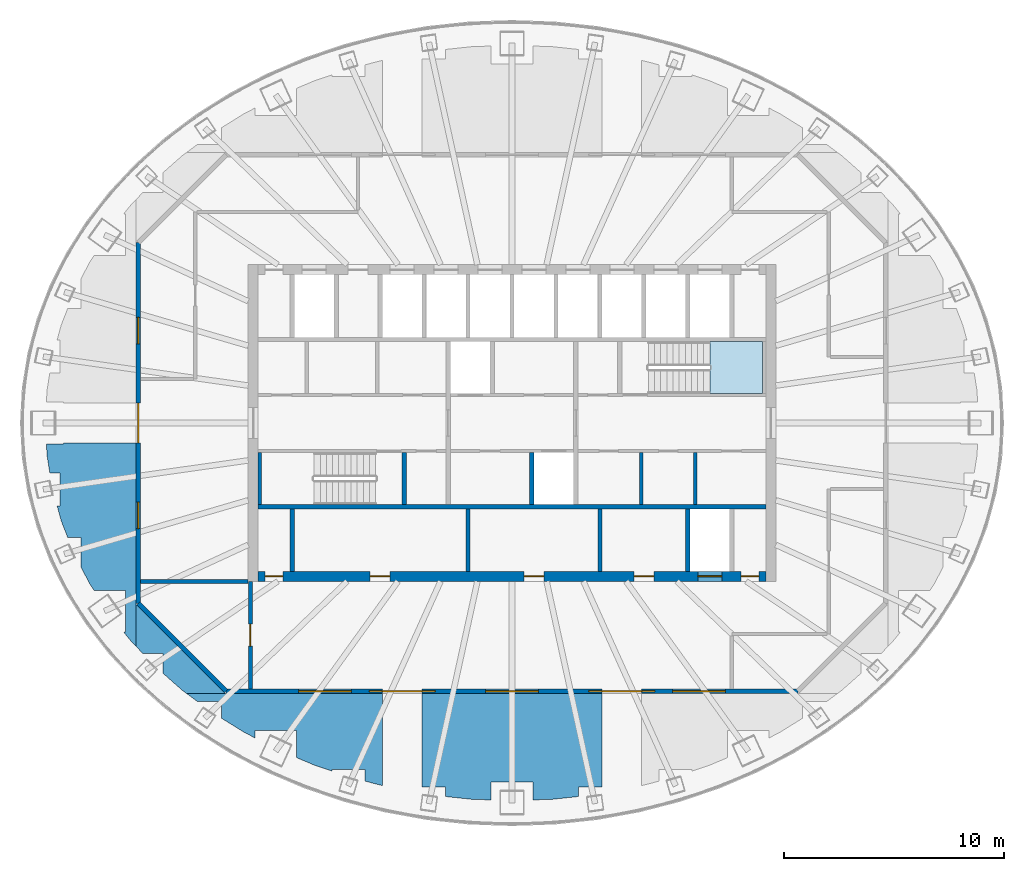
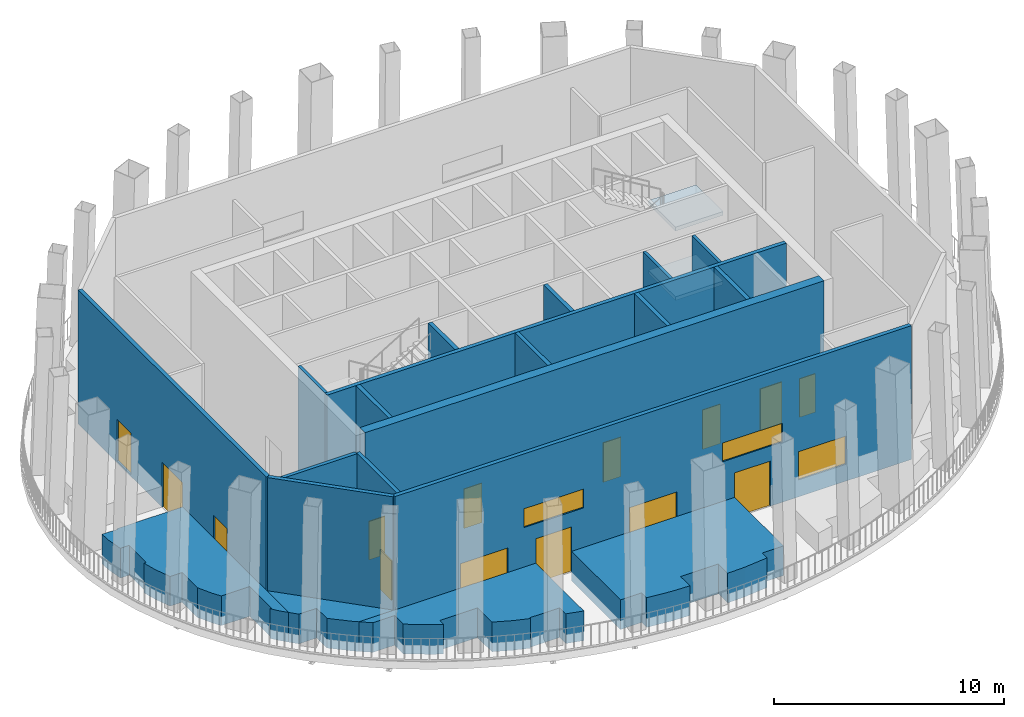
# One storey, part 3 of 12: 20 walls, 10 doors, 7 windows, 2 slabs, 17 openings, 1 element without a shape of its own.
"""IFC4 building model written with IfcOpenShell, lengths in metres."""

from ifc_helpers import new_model, si_unit, direction, frame, frame_2d, origin, place, context, subcontext, project, spatial, polyline, rectangle, outline, extrude, material, layer, layer_set, type_object, element, fill, aggregate, save


model = new_model("IFC4")

# Units and contexts
model_context = context("Model", 3, precision=1e-05, world=origin(), true_north=direction((0.0, 1.0)))
body_context = subcontext(model_context, "Body", "Model", "MODEL_VIEW")
ifc_project = project(units=[si_unit("LENGTHUNIT", "METRE"), si_unit("AREAUNIT", "SQUARE_METRE"), si_unit("VOLUMEUNIT", "CUBIC_METRE"), si_unit("PLANEANGLEUNIT", "RADIAN"), si_unit("MASSUNIT", "GRAM", prefix="KILO")], contexts=[model_context])

# Site, building, storey
site_placement = place(None, origin())
site = spatial("IfcSite", under=ifc_project, at=site_placement, CompositionType="ELEMENT")
building_placement = place(site_placement, origin())
building = spatial("IfcBuilding", under=site, at=building_placement, Name="Siaravel Broadcast Tower", CompositionType="ELEMENT")
storey_placement = place(building_placement, frame((0.0, 0.0, 205.199951171875)))
storey = spatial("IfcBuildingStorey", under=building, at=storey_placement, Name="L50", CompositionType="ELEMENT", Elevation=205.199951171875)

# Stair, slabs
ifc_material_1 = material(Name="Concrete C40/50", Category="concrete")
stair_type = type_object("IfcStairType", Name="Core exit stair", PredefinedType="HALF_TURN_STAIR", material=ifc_material_1)
stair_placement = place(storey_placement, origin())
stair = element("IfcStair", 1, at=stair_placement, inside=storey, type_object=stair_type, Name="L50 Exit stair ST-2", PredefinedType="HALF_TURN_STAIR")
ifc_layer_1 = layer(ifc_material_1, 0.199951171875)
ifc_layer_set_1 = layer_set([ifc_layer_1], Name="Concrete C40/50")
slab_type = type_object("IfcSlabType", Name="Stair landing", PredefinedType="LANDING", material=ifc_layer_set_1)
slab_1_placement = place(storey_placement, frame((0.0, 0.0, 1.650146484375)))
slab_1 = element("IfcSlab", 2, at=slab_1_placement, type_object=slab_type, Name="ST-2 landing 1", PredefinedType="LANDING", context=body_context, shape_type="SweptSolid", body=[
    extrude(outline(polyline([(9.0, 1.35009765625), (11.39990234375, 1.35009765625), (11.39990234375, 3.699951171875), (9.0, 3.699951171875), (9.0, 1.35009765625)])), origin(), (0.0, 0.0, 1.0), 0.199951171875),
])
slab_2_placement = place(storey_placement, frame((0.0, 0.0, 5.35009765625)))
slab_2 = element("IfcSlab", 3, at=slab_2_placement, type_object=slab_type, Name="ST-2 landing 3", PredefinedType="LANDING", context=body_context, shape_type="SweptSolid", body=[
    extrude(outline(polyline([(9.0, 1.35009765625), (11.39990234375, 1.35009765625), (11.39990234375, 3.699951171875), (9.0, 3.699951171875), (9.0, 1.35009765625)])), origin(), (0.0, 0.0, 1.0), 0.199951171875),
])
aggregate(stair, [slab_1, slab_2])

# Walls
ifc_material_2 = material(Name="Concrete blockwork", Category="masonry")
ifc_layer_2 = layer(ifc_material_2, 0.14990234375)
ifc_layer_set_2 = layer_set([ifc_layer_2], Name="Concrete blockwork")
wall_type_1 = type_object("IfcWallType", Name="Core partition 150", PredefinedType="PARTITIONING", material=ifc_layer_set_2)
for number, where, z_axis, x_axis, name in (
    (4, (5.8798828125, -3.699951171875, 0.0), (0.0, 0.0, 1.0), (0.0, 1.0, 0.0), "L50 core partition PSE0"),
    (5, (8.340087890625, -3.699951171875, 0.0), (0.0, 0.0, 1.0), (0.0, 1.0, 0.0), "L50 core partition PSE1"),
):
    element("IfcWall", number, at=place(storey_placement, frame(where, z_axis=z_axis, x_axis=x_axis)), inside=storey, type_object=wall_type_1, Name=name, PredefinedType="PARTITIONING", context=body_context, shape_type="SweptSolid", body=[
        extrude(rectangle(XDim=2.349853515625, YDim=0.14990234375, at=frame_2d((1.1748046875, 0.0))), origin(), (0.0, 0.0, 1.0), 7.0),
    ])
ifc_layer_3 = layer(ifc_material_2, 0.199951171875)
ifc_layer_set_3 = layer_set([ifc_layer_3], Name="Concrete blockwork")
wall_type_2 = type_object("IfcWallType", Name="Core partition 200", PredefinedType="PARTITIONING", material=ifc_layer_set_3)
for number, where, z_axis, x_axis, name in (
    (6, (-2.0, -6.75, 0.0), (0.0, 0.0, 1.0), (0.0, 1.0, 0.0), "L50 core partition PFS0"),
    (7, (4.0, -6.75, 0.0), (0.0, 0.0, 1.0), (0.0, 1.0, 0.0), "L50 core partition PFS4"),
):
    element("IfcWall", number, at=place(storey_placement, frame(where, z_axis=z_axis, x_axis=x_axis)), inside=storey, type_object=wall_type_2, Name=name, PredefinedType="PARTITIONING", context=body_context, shape_type="SweptSolid", body=[
        extrude(rectangle(XDim=2.85009765625, YDim=0.199951171875, at=frame_2d((1.425048828125, 0.0))), origin(), (0.0, 0.0, 1.0), 7.0),
    ])

# Wall, openings, doors
ifc_material_3 = material(Name="Concrete C60/75", Category="concrete")
ifc_layer_4 = layer(ifc_material_3, 0.449951171875)
ifc_layer_set_4 = layer_set([ifc_layer_4], Name="Concrete C60/75")
wall_type_3 = type_object("IfcWallType", Name="Core wall 450", PredefinedType="SHEAR", material=ifc_layer_set_4)
wall_1_placement = place(storey_placement, frame((-11.550048828125, -6.97509765625, 0.0), z_axis=(0.0, 0.0, 1.0), x_axis=(1.0, 0.0, 0.0)))
wall_1 = element("IfcWall", 8, at=wall_1_placement, inside=storey, type_object=wall_type_3, Name="L50 core wall OS", PredefinedType="SHEAR", context=body_context, shape_type="SweptSolid", body=[
    extrude(rectangle(XDim=23.10009765625, YDim=0.449951171875, at=frame_2d((11.550048828125, 0.0))), origin(), (0.0, 0.0, 1.0), 7.0),
])
opening_1_placement = place(wall_1_placement, frame((20.0, 0.0, 0.0)))
opening_1 = element("IfcOpeningElement", 9, at=opening_1_placement, cuts=wall_1, Name="Opening LD-SV1-L50", PredefinedType="OPENING", context=body_context, shape_type="SweptSolid", body=[
    extrude(rectangle(XDim=1.10009765625, YDim=2.199951171875, at=frame_2d((0.550048828125, 1.10009765625))), frame((0.0, 0.23486328125, 0.0), z_axis=(0.0, -1.0, 0.0), x_axis=(1.0, 0.0, 0.0)), (0.0, 0.0, 1.0), 0.469970703125),
])
opening_2_placement = place(wall_1_placement, frame((5.10009765625, 0.0, 0.0)))
opening_2 = element("IfcOpeningElement", 10, at=opening_2_placement, cuts=wall_1, Name="Opening L50-DFS0", PredefinedType="OPENING", context=body_context, shape_type="SweptSolid", body=[
    extrude(rectangle(XDim=0.89990234375, YDim=2.10009765625, at=frame_2d((0.449951171875, 1.050048828125))), frame((0.0, 0.23486328125, 0.0), z_axis=(0.0, -1.0, 0.0), x_axis=(1.0, 0.0, 0.0)), (0.0, 0.0, 1.0), 0.469970703125),
])
opening_3_placement = place(wall_1_placement, frame((12.10009765625, 0.0, 0.0)))
opening_3 = element("IfcOpeningElement", 11, at=opening_3_placement, cuts=wall_1, Name="Opening L50-DFS4", PredefinedType="OPENING", context=body_context, shape_type="SweptSolid", body=[
    extrude(rectangle(XDim=0.89990234375, YDim=2.10009765625, at=frame_2d((0.449951171875, 1.050048828125))), frame((0.0, 0.23486328125, 0.0), z_axis=(0.0, -1.0, 0.0), x_axis=(1.0, 0.0, 0.0)), (0.0, 0.0, 1.0), 0.469970703125),
])
opening_4_placement = place(wall_1_placement, frame((17.10009765625, 0.0, 0.0)))
opening_4 = element("IfcOpeningElement", 12, at=opening_4_placement, cuts=wall_1, Name="Opening L50-DFS7", PredefinedType="OPENING", context=body_context, shape_type="SweptSolid", body=[
    extrude(rectangle(XDim=0.89990234375, YDim=2.10009765625, at=frame_2d((0.449951171875, 1.050048828125))), frame((0.0, 0.23486328125, 0.0), z_axis=(0.0, -1.0, 0.0), x_axis=(1.0, 0.0, 0.0)), (0.0, 0.0, 1.0), 0.469970703125),
])
opening_5_placement = place(wall_1_placement, frame((0.324951171875, 0.0, 0.0)))
opening_5 = element("IfcOpeningElement", 13, at=opening_5_placement, cuts=wall_1, Name="Opening L50-DRSW", PredefinedType="OPENING", context=body_context, shape_type="SweptSolid", body=[
    extrude(rectangle(XDim=0.800048828125, YDim=2.050048828125, at=frame_2d((0.39990234375, 1.02490234375))), frame((0.0, 0.23486328125, 0.0), z_axis=(0.0, -1.0, 0.0), x_axis=(1.0, 0.0, 0.0)), (0.0, 0.0, 1.0), 0.469970703125),
])
opening_6_placement = place(wall_1_placement, frame((21.97509765625, 0.0, 0.0)))
opening_6 = element("IfcOpeningElement", 14, at=opening_6_placement, cuts=wall_1, Name="Opening L50-DRSE", PredefinedType="OPENING", context=body_context, shape_type="SweptSolid", body=[
    extrude(rectangle(XDim=0.800048828125, YDim=2.050048828125, at=frame_2d((0.39990234375, 1.02490234375))), frame((0.0, 0.23486328125, 0.0), z_axis=(0.0, -1.0, 0.0), x_axis=(1.0, 0.0, 0.0)), (0.0, 0.0, 1.0), 0.469970703125),
])
ifc_material_4 = material(Name="Timber veneer", Category="wood")
door_type_1 = type_object("IfcDoorType", Name="Core room door 900", OperationType="SINGLE_SWING_LEFT", PredefinedType="DOOR", material=ifc_material_4)
door_1_placement = place(opening_2_placement, origin())
door_1 = element("IfcDoor", 15, at=door_1_placement, inside=storey, type_object=door_type_1, Name="L50 door DFS0", OperationType="SINGLE_SWING_LEFT", OverallHeight=2.10009765625, OverallWidth=0.89990234375, PredefinedType="DOOR", context=body_context, shape_type="SweptSolid", body=[
    extrude(rectangle(XDim=0.89990234375, YDim=2.10009765625, at=frame_2d((0.449951171875, 1.050048828125))), frame((0.0, 0.02490234375, 0.0), z_axis=(0.0, -1.0, 0.0), x_axis=(1.0, 0.0, 0.0)), (0.0, 0.0, 1.0), 0.050048828125),
])
fill(opening_2, door_1)
door_2_placement = place(opening_3_placement, origin())
door_2 = element("IfcDoor", 16, at=door_2_placement, inside=storey, type_object=door_type_1, Name="L50 door DFS4", OperationType="SINGLE_SWING_LEFT", OverallHeight=2.10009765625, OverallWidth=0.89990234375, PredefinedType="DOOR", context=body_context, shape_type="SweptSolid", body=[
    extrude(rectangle(XDim=0.89990234375, YDim=2.10009765625, at=frame_2d((0.449951171875, 1.050048828125))), frame((0.0, 0.02490234375, 0.0), z_axis=(0.0, -1.0, 0.0), x_axis=(1.0, 0.0, 0.0)), (0.0, 0.0, 1.0), 0.050048828125),
])
fill(opening_3, door_2)
door_3_placement = place(opening_4_placement, origin())
door_3 = element("IfcDoor", 17, at=door_3_placement, inside=storey, type_object=door_type_1, Name="L50 door DFS7", OperationType="SINGLE_SWING_LEFT", OverallHeight=2.10009765625, OverallWidth=0.89990234375, PredefinedType="DOOR", context=body_context, shape_type="SweptSolid", body=[
    extrude(rectangle(XDim=0.89990234375, YDim=2.10009765625, at=frame_2d((0.449951171875, 1.050048828125))), frame((0.0, 0.02490234375, 0.0), z_axis=(0.0, -1.0, 0.0), x_axis=(1.0, 0.0, 0.0)), (0.0, 0.0, 1.0), 0.050048828125),
])
fill(opening_4, door_3)
ifc_material_5 = material(Name="Steel", Category="steel")
door_type_2 = type_object("IfcDoorType", Name="Riser door 800", OperationType="SINGLE_SWING_LEFT", PredefinedType="DOOR", material=ifc_material_5)
door_4_placement = place(opening_5_placement, origin())
door_4 = element("IfcDoor", 18, at=door_4_placement, inside=storey, type_object=door_type_2, Name="L50 door DRSW", OperationType="SINGLE_SWING_LEFT", OverallHeight=2.050048828125, OverallWidth=0.800048828125, PredefinedType="DOOR", context=body_context, shape_type="SweptSolid", body=[
    extrude(rectangle(XDim=0.800048828125, YDim=2.050048828125, at=frame_2d((0.39990234375, 1.02490234375))), frame((0.0, 0.02490234375, 0.0), z_axis=(0.0, -1.0, 0.0), x_axis=(1.0, 0.0, 0.0)), (0.0, 0.0, 1.0), 0.050048828125),
])
fill(opening_5, door_4)
door_5_placement = place(opening_6_placement, origin())
door_5 = element("IfcDoor", 19, at=door_5_placement, inside=storey, type_object=door_type_2, Name="L50 door DRSE", OperationType="SINGLE_SWING_LEFT", OverallHeight=2.050048828125, OverallWidth=0.800048828125, PredefinedType="DOOR", context=body_context, shape_type="SweptSolid", body=[
    extrude(rectangle(XDim=0.800048828125, YDim=2.050048828125, at=frame_2d((0.39990234375, 1.02490234375))), frame((0.0, 0.02490234375, 0.0), z_axis=(0.0, -1.0, 0.0), x_axis=(1.0, 0.0, 0.0)), (0.0, 0.0, 1.0), 0.050048828125),
])
fill(opening_6, door_5)
ifc_material_6 = material(Name="Stainless steel 316L", Category="steel")
door_type_3 = type_object("IfcDoorType", Name="Service lift landing door 1100", OperationType="DOUBLE_DOOR_SLIDING", PredefinedType="DOOR", material=ifc_material_6)
door_6_placement = place(opening_1_placement, origin())
door_6 = element("IfcDoor", 20, at=door_6_placement, inside=storey, type_object=door_type_3, Name="Landing door SV1 L50", OperationType="DOUBLE_DOOR_SLIDING", OverallHeight=2.199951171875, OverallWidth=1.10009765625, PredefinedType="DOOR", context=body_context, shape_type="SweptSolid", body=[
    extrude(rectangle(XDim=1.10009765625, YDim=2.199951171875, at=frame_2d((0.550048828125, 1.10009765625))), frame((0.0, 0.02490234375, 0.0), z_axis=(0.0, -1.0, 0.0), x_axis=(1.0, 0.0, 0.0)), (0.0, 0.0, 1.0), 0.050048828125),
])
fill(opening_1, door_6)

# Walls
ifc_layer_5 = layer(ifc_material_1, 1.0)
ifc_layer_set_5 = layer_set([ifc_layer_5], Name="Concrete C40/50")
wall_type_4 = type_object("IfcWallType", Name="Garden planter box", PredefinedType="ELEMENTEDWALL", material=ifc_layer_set_5)
wall_2_placement = place(storey_placement, frame((0.0, 0.0, -0.39990234375)))
element("IfcWall", 21, at=wall_2_placement, inside=storey, type_object=wall_type_4, Name="L50 garden planting bed 01", PredefinedType="ELEMENTEDWALL", context=body_context, shape_type="SweptSolid", body=[
    extrude(outline(polyline([(1.85009765625, -17.11328125), (3.0322265625, -16.9873046875), (3.0322265625, -16.56005859375), (4.10009765625, -16.56005859375), (4.10009765625, -12.300048828125), (-4.10009765625, -12.300048828125), (-4.10009765625, -16.56005859375), (-3.0322265625, -16.56005859375), (-3.0322265625, -16.9873046875), (-1.85009765625, -17.11328125), (-0.949951171875, -17.14501953125), (-0.949951171875, -16.3310546875), (0.949951171875, -16.3310546875), (0.949951171875, -17.14501953125), (1.85009765625, -17.11328125)])), origin(), (0.0, 0.0, 1.0), 1.579833984375),
])
wall_3_placement = place(storey_placement, frame((0.0, 0.0, -0.39990234375)))
element("IfcWall", 22, at=wall_3_placement, inside=storey, type_object=wall_type_4, Name="L50 garden planting bed 02", PredefinedType="ELEMENTEDWALL", context=body_context, shape_type="SweptSolid", body=[
    extrude(outline(polyline([(-8.970458984375, -15.569091796875), (-8.1962890625, -15.82861328125), (-8.1962890625, -15.755859375), (-6.6962890625, -15.755859375), (-6.6962890625, -16.286376953125), (-5.89990234375, -16.489501953125), (-5.89990234375, -12.300048828125), (-13.04150390625, -12.300048828125), (-14.802978515625, -12.300048828125), (-14.30224609375, -12.67138671875), (-13.22119140625, -12.67138671875), (-13.22119140625, -13.422119140625), (-12.1748046875, -14.072021484375), (-11.69970703125, -14.31689453125), (-11.69970703125, -13.97412109375), (-9.7998046875, -13.97412109375), (-9.7998046875, -15.2197265625), (-8.970458984375, -15.569091796875)])), origin(), (0.0, 0.0, 1.0), 1.579833984375),
])
wall_4_placement = place(storey_placement, frame((0.0, 0.0, -0.39990234375)))
element("IfcWall", 23, at=wall_4_placement, inside=storey, type_object=wall_type_4, Name="L50 garden planting bed 04", PredefinedType="ELEMENTEDWALL", context=body_context, shape_type="SweptSolid", body=[
    extrude(outline(polyline([(-14.802978515625, -12.300048828125), (-13.04150390625, -12.300048828125), (-17.10009765625, -8.241455078125), (-17.10009765625, -10.15625), (-16.78125, -10.49267578125), (-15.88134765625, -10.49267578125), (-15.88134765625, -11.376708984375), (-15.009033203125, -12.147216796875), (-14.802978515625, -12.300048828125)])), origin(), (0.0, 0.0, 1.0), 1.579833984375),
])
wall_5_placement = place(storey_placement, frame((0.0, 0.0, -0.39990234375)))
element("IfcWall", 24, at=wall_5_placement, inside=storey, type_object=wall_type_4, Name="L50 garden planting bed 06", PredefinedType="ELEMENTEDWALL", context=body_context, shape_type="SweptSolid", body=[
    extrude(outline(polyline([(-17.10009765625, -10.15625), (-17.10009765625, -8.241455078125), (-17.10009765625, -0.89990234375), (-20.39013671875, -0.89990234375), (-20.39013671875, -0.949951171875), (-21.1748046875, -0.949951171875), (-21.145263671875, -1.497314453125), (-21.01904296875, -2.2734375), (-20.567138671875, -2.2734375), (-20.567138671875, -3.7734375), (-20.68701171875, -3.7734375), (-20.502685546875, -4.446044921875), (-20.20458984375, -5.2119140625), (-19.605712890625, -5.2119140625), (-19.605712890625, -6.5400390625), (-19.2373046875, -7.260009765625), (-19.014404296875, -7.606689453125), (-17.584716796875, -7.606689453125), (-17.584716796875, -9.5068359375), (-17.66015625, -9.5068359375), (-17.387451171875, -9.853271484375), (-17.10009765625, -10.15625)])), origin(), (0.0, 0.0, 1.0), 1.579833984375),
])

# Wall, opening, door
ifc_layer_6 = layer(ifc_material_2, 0.179931640625)
ifc_layer_set_6 = layer_set([ifc_layer_6], Name="Concrete blockwork")
wall_type_5 = type_object("IfcWallType", Name="Service room fire partition 180", PredefinedType="PARTITIONING", material=ifc_layer_set_6)
wall_6_placement = place(storey_placement, frame((-11.89990234375, -12.10009765625, 0.0), z_axis=(0.0, 0.0, 1.0), x_axis=(0.0, 1.0, 0.0)))
wall_6 = element("IfcWall", 25, at=wall_6_placement, inside=storey, type_object=wall_type_5, Name="L50 partition 5", PredefinedType="PARTITIONING", context=body_context, shape_type="SweptSolid", body=[
    extrude(rectangle(XDim=4.900146484375, YDim=0.179931640625, at=frame_2d((2.4501953125, 0.0))), origin(), (0.0, 0.0, 1.0), 6.10009765625),
])
opening_7_placement = place(wall_6_placement, frame((1.949951171875, 0.0, 0.0)))
opening_7 = element("IfcOpeningElement", 26, at=opening_7_placement, cuts=wall_6, Name="Opening L50-004", PredefinedType="OPENING", context=body_context, shape_type="SweptSolid", body=[
    extrude(rectangle(XDim=1.0, YDim=2.10009765625, at=frame_2d((0.5, 1.050048828125))), frame((0.0, 0.099853515625, 0.0), z_axis=(0.0, -1.0, 0.0), x_axis=(1.0, 0.0, 0.0)), (0.0, 0.0, 1.0), 0.199951171875),
])
door_type_4 = type_object("IfcDoorType", Name="Service room door 1000", OperationType="SINGLE_SWING_LEFT", PredefinedType="DOOR", material=ifc_material_5)
door_7_placement = place(opening_7_placement, origin())
door_7 = element("IfcDoor", 27, at=door_7_placement, inside=storey, type_object=door_type_4, Name="L50 door to Sky pantry", OperationType="SINGLE_SWING_RIGHT", OverallHeight=2.10009765625, OverallWidth=1.0, PredefinedType="DOOR", context=body_context, shape_type="SweptSolid", body=[
    extrude(rectangle(XDim=1.0, YDim=2.10009765625, at=frame_2d((0.5, 1.050048828125))), frame((0.0, 0.02490234375, 0.0), z_axis=(0.0, -1.0, 0.0), x_axis=(1.0, 0.0, 0.0)), (0.0, 0.0, 1.0), 0.050048828125),
])
fill(opening_7, door_7)

# Walls
wall_7_placement = place(storey_placement, frame((-12.0, -7.199951171875, 0.0), z_axis=(0.0, 0.0, 1.0), x_axis=(-1.0, 0.0, 0.0)))
element("IfcWall", 28, at=wall_7_placement, inside=storey, type_object=wall_type_5, Name="L50 partition 6", PredefinedType="PARTITIONING", context=body_context, shape_type="SweptSolid", body=[
    extrude(rectangle(XDim=4.89990234375, YDim=0.179931640625, at=frame_2d((2.449951171875, 0.0))), origin(), (0.0, 0.0, 1.0), 6.10009765625),
])
ifc_layer_7 = layer(ifc_material_3, 0.14990234375)
ifc_layer_set_7 = layer_set([ifc_layer_7], Name="Concrete C60/75")
wall_type_6 = type_object("IfcWallType", Name="Shaft wall 150", PredefinedType="SHEAR", material=ifc_layer_set_7)
wall_8_placement = place(storey_placement, frame((-11.47509765625, -3.699951171875, 0.0), z_axis=(0.0, 0.0, 1.0), x_axis=(0.0, 1.0, 0.0)))
element("IfcWall", 29, at=wall_8_placement, inside=storey, type_object=wall_type_6, Name="L50 core wall ST1W", PredefinedType="SHEAR", context=body_context, shape_type="SweptSolid", body=[
    extrude(rectangle(XDim=2.349853515625, YDim=0.14990234375, at=frame_2d((1.1748046875, 0.0))), origin(), (0.0, 0.0, 1.0), 7.0),
])
ifc_layer_8 = layer(ifc_material_3, 0.199951171875)
ifc_layer_set_8 = layer_set([ifc_layer_8], Name="Concrete C60/75")
wall_type_7 = type_object("IfcWallType", Name="Shaft wall 200", PredefinedType="SHEAR", material=ifc_layer_set_8)
wall_9_placement = place(storey_placement, frame((-11.550048828125, -3.800048828125, 0.0), z_axis=(0.0, 0.0, 1.0), x_axis=(1.0, 0.0, 0.0)))
element("IfcWall", 30, at=wall_9_placement, inside=storey, type_object=wall_type_7, Name="L50 core wall BS", PredefinedType="SHEAR", context=body_context, shape_type="SweptSolid", body=[
    extrude(rectangle(XDim=23.10009765625, YDim=0.199951171875, at=frame_2d((11.550048828125, 0.0))), origin(), (0.0, 0.0, 1.0), 7.0),
])
for number, where, z_axis, x_axis, name in (
    (31, (-10.0, -6.75, 0.0), (0.0, 0.0, 1.0), (0.0, 1.0, 0.0), "L50 core wall SWS0"),
    (32, (8.0, -6.75, 0.0), (0.0, 0.0, 1.0), (0.0, 1.0, 0.0), "L50 core wall SWS9"),
):
    element("IfcWall", number, at=place(storey_placement, frame(where, z_axis=z_axis, x_axis=x_axis)), inside=storey, type_object=wall_type_7, Name=name, PredefinedType="SHEAR", context=body_context, shape_type="SweptSolid", body=[
        extrude(rectangle(XDim=2.85009765625, YDim=0.199951171875, at=frame_2d((1.425048828125, 0.0))), origin(), (0.0, 0.0, 1.0), 7.0),
    ])
for number, where, z_axis, x_axis, name in (
    (33, (0.89990234375, -3.699951171875, 0.0), (0.0, 0.0, 1.0), (0.0, 1.0, 0.0), "L50 core wall FF2W"),
    (34, (-4.89990234375, -3.699951171875, 0.0), (0.0, 0.0, 1.0), (0.0, 1.0, 0.0), "L50 core wall ST1E"),
):
    element("IfcWall", number, at=place(storey_placement, frame(where, z_axis=z_axis, x_axis=x_axis)), inside=storey, type_object=wall_type_7, Name=name, PredefinedType="SHEAR", context=body_context, shape_type="SweptSolid", body=[
        extrude(rectangle(XDim=2.349853515625, YDim=0.199951171875, at=frame_2d((1.1748046875, 0.0))), origin(), (0.0, 0.0, 1.0), 7.0),
    ])

# Wall, openings, doors, windows
ifc_layer_9 = layer(ifc_material_1, 0.199951171875)
ifc_layer_set_9 = layer_set([ifc_layer_9], Name="Concrete C40/50")
wall_type_8 = type_object("IfcWallType", Name="Sky lobby enclosure wall", PredefinedType="STANDARD", material=ifc_layer_set_9)
wall_10_placement = place(storey_placement, frame((13.0, -12.199951171875, 0.080078125), z_axis=(0.0, 0.0, 1.0), x_axis=(-1.0, 0.0, 0.0)))
wall_10 = element("IfcWall", 35, at=wall_10_placement, inside=storey, type_object=wall_type_8, Name="L50 sky lobby enclosure wall S", PredefinedType="STANDARD", context=body_context, shape_type="SweptSolid", body=[
    extrude(rectangle(XDim=26.0, YDim=0.199951171875, at=frame_2d((13.0, 0.0))), origin(), (0.0, 0.0, 1.0), 7.119873046875),
])
opening_8_placement = place(wall_10_placement, frame((7.10009765625, 0.0, 0.0)))
opening_8 = element("IfcOpeningElement", 36, at=opening_8_placement, cuts=wall_10, Name="Opening L50-GDN-S1", PredefinedType="OPENING", context=body_context, shape_type="SweptSolid", body=[
    extrude(rectangle(XDim=1.800048828125, YDim=2.39990234375, at=frame_2d((0.89990234375, 1.199951171875))), frame((0.0, 0.10986328125, 0.0), z_axis=(0.0, -1.0, 0.0), x_axis=(1.0, 0.0, 0.0)), (0.0, 0.0, 1.0), 0.219970703125),
])
opening_9_placement = place(wall_10_placement, frame((17.10009765625, 0.0, 0.0)))
opening_9 = element("IfcOpeningElement", 37, at=opening_9_placement, cuts=wall_10, Name="Opening L50-GDN-S2", PredefinedType="OPENING", context=body_context, shape_type="SweptSolid", body=[
    extrude(rectangle(XDim=1.800048828125, YDim=2.39990234375, at=frame_2d((0.89990234375, 1.199951171875))), frame((0.0, 0.10986328125, 0.0), z_axis=(0.0, -1.0, 0.0), x_axis=(1.0, 0.0, 0.0)), (0.0, 0.0, 1.0), 0.219970703125),
])
opening_10_placement = place(wall_10_placement, frame((3.300048828125, 0.0, 0.89990234375)))
opening_10 = element("IfcOpeningElement", 38, at=opening_10_placement, cuts=wall_10, Name="Opening WX-1", PredefinedType="OPENING", context=body_context, shape_type="SweptSolid", body=[
    extrude(rectangle(XDim=2.39990234375, YDim=1.5, at=frame_2d((1.199951171875, 0.75))), frame((0.0, 0.10986328125, 0.0), z_axis=(0.0, -1.0, 0.0), x_axis=(1.0, 0.0, 0.0)), (0.0, 0.0, 1.0), 0.219970703125),
])
opening_11_placement = place(wall_10_placement, frame((11.800048828125, 0.0, 0.89990234375)))
opening_11 = element("IfcOpeningElement", 39, at=opening_11_placement, cuts=wall_10, Name="Opening WX-1", PredefinedType="OPENING", context=body_context, shape_type="SweptSolid", body=[
    extrude(rectangle(XDim=2.39990234375, YDim=1.5, at=frame_2d((1.199951171875, 0.75))), frame((0.0, 0.10986328125, 0.0), z_axis=(0.0, -1.0, 0.0), x_axis=(1.0, 0.0, 0.0)), (0.0, 0.0, 1.0), 0.219970703125),
])
opening_12_placement = place(wall_10_placement, frame((20.300048828125, 0.0, 0.89990234375)))
opening_12 = element("IfcOpeningElement", 40, at=opening_12_placement, cuts=wall_10, Name="Opening WX-1", PredefinedType="OPENING", context=body_context, shape_type="SweptSolid", body=[
    extrude(rectangle(XDim=2.39990234375, YDim=1.5, at=frame_2d((1.199951171875, 0.75))), frame((0.0, 0.10986328125, 0.0), z_axis=(0.0, -1.0, 0.0), x_axis=(1.0, 0.0, 0.0)), (0.0, 0.0, 1.0), 0.219970703125),
])
opening_13_placement = place(wall_10_placement, frame((6.5, 0.0, 3.199951171875)))
opening_13 = element("IfcOpeningElement", 41, at=opening_13_placement, cuts=wall_10, Name="Opening WX-3", PredefinedType="OPENING", context=body_context, shape_type="SweptSolid", body=[
    extrude(rectangle(XDim=3.0, YDim=1.0, at=frame_2d((1.5, 0.5))), frame((0.0, 0.10986328125, 0.0), z_axis=(0.0, -1.0, 0.0), x_axis=(1.0, 0.0, 0.0)), (0.0, 0.0, 1.0), 0.219970703125),
])
opening_14_placement = place(wall_10_placement, frame((16.5, 0.0, 3.199951171875)))
opening_14 = element("IfcOpeningElement", 42, at=opening_14_placement, cuts=wall_10, Name="Opening WX-3", PredefinedType="OPENING", context=body_context, shape_type="SweptSolid", body=[
    extrude(rectangle(XDim=3.0, YDim=1.0, at=frame_2d((1.5, 0.5))), frame((0.0, 0.10986328125, 0.0), z_axis=(0.0, -1.0, 0.0), x_axis=(1.0, 0.0, 0.0)), (0.0, 0.0, 1.0), 0.219970703125),
])
ifc_material_7 = material(Name="Aluminium 6063-T6", Category="aluminium")
door_type_5 = type_object("IfcDoorType", Name="Garden door", OperationType="DOUBLE_DOOR_SINGLE_SWING", PredefinedType="DOOR", material=ifc_material_7)
door_8_placement = place(opening_8_placement, origin())
door_8 = element("IfcDoor", 43, at=door_8_placement, inside=storey, type_object=door_type_5, Name="L50 garden door S1", OperationType="DOUBLE_DOOR_SINGLE_SWING", OverallHeight=2.39990234375, OverallWidth=1.800048828125, PredefinedType="DOOR", context=body_context, shape_type="SweptSolid", body=[
    extrude(rectangle(XDim=1.800048828125, YDim=2.39990234375, at=frame_2d((0.89990234375, 1.199951171875))), frame((0.0, 0.02490234375, 0.0), z_axis=(0.0, -1.0, 0.0), x_axis=(1.0, 0.0, 0.0)), (0.0, 0.0, 1.0), 0.050048828125),
])
fill(opening_8, door_8)
door_9_placement = place(opening_9_placement, origin())
door_9 = element("IfcDoor", 44, at=door_9_placement, inside=storey, type_object=door_type_5, Name="L50 garden door S2", OperationType="DOUBLE_DOOR_SINGLE_SWING", OverallHeight=2.39990234375, OverallWidth=1.800048828125, PredefinedType="DOOR", context=body_context, shape_type="SweptSolid", body=[
    extrude(rectangle(XDim=1.800048828125, YDim=2.39990234375, at=frame_2d((0.89990234375, 1.199951171875))), frame((0.0, 0.02490234375, 0.0), z_axis=(0.0, -1.0, 0.0), x_axis=(1.0, 0.0, 0.0)), (0.0, 0.0, 1.0), 0.050048828125),
])
fill(opening_9, door_9)
window_type_1 = type_object("IfcWindowType", Name="Sky lobby clerestory window 3000x1000", PartitioningType="SINGLE_PANEL", PredefinedType="WINDOW", material=ifc_material_7)
window_1_placement = place(opening_13_placement, origin())
window_1 = element("IfcWindow", 45, at=window_1_placement, inside=storey, type_object=window_type_1, Name="L50 sky lobby clerestory window S1", OverallHeight=1.0, OverallWidth=3.0, PartitioningType="SINGLE_PANEL", PredefinedType="WINDOW", context=body_context, shape_type="SweptSolid", body=[
    extrude(rectangle(XDim=3.0, YDim=1.0, at=frame_2d((1.5, 0.5))), frame((0.0, 0.030029296875, 0.0), z_axis=(0.0, -1.0, 0.0), x_axis=(1.0, 0.0, 0.0)), (0.0, 0.0, 1.0), 0.06005859375),
])
fill(opening_13, window_1)
window_2_placement = place(opening_14_placement, origin())
window_2 = element("IfcWindow", 46, at=window_2_placement, inside=storey, type_object=window_type_1, Name="L50 sky lobby clerestory window S2", OverallHeight=1.0, OverallWidth=3.0, PartitioningType="SINGLE_PANEL", PredefinedType="WINDOW", context=body_context, shape_type="SweptSolid", body=[
    extrude(rectangle(XDim=3.0, YDim=1.0, at=frame_2d((1.5, 0.5))), frame((0.0, 0.030029296875, 0.0), z_axis=(0.0, -1.0, 0.0), x_axis=(1.0, 0.0, 0.0)), (0.0, 0.0, 1.0), 0.06005859375),
])
fill(opening_14, window_2)
window_type_2 = type_object("IfcWindowType", Name="Sky lobby picture window 2400x1500", PartitioningType="SINGLE_PANEL", PredefinedType="WINDOW", material=ifc_material_7)
window_3_placement = place(opening_10_placement, origin())
window_3 = element("IfcWindow", 47, at=window_3_placement, inside=storey, type_object=window_type_2, Name="L50 sky lobby window S1", OverallHeight=1.5, OverallWidth=2.39990234375, PartitioningType="SINGLE_PANEL", PredefinedType="WINDOW", context=body_context, shape_type="SweptSolid", body=[
    extrude(rectangle(XDim=2.39990234375, YDim=1.5, at=frame_2d((1.199951171875, 0.75))), frame((0.0, 0.030029296875, 0.0), z_axis=(0.0, -1.0, 0.0), x_axis=(1.0, 0.0, 0.0)), (0.0, 0.0, 1.0), 0.06005859375),
])
fill(opening_10, window_3)
window_4_placement = place(opening_11_placement, origin())
window_4 = element("IfcWindow", 48, at=window_4_placement, inside=storey, type_object=window_type_2, Name="L50 sky lobby window S2", OverallHeight=1.5, OverallWidth=2.39990234375, PartitioningType="SINGLE_PANEL", PredefinedType="WINDOW", context=body_context, shape_type="SweptSolid", body=[
    extrude(rectangle(XDim=2.39990234375, YDim=1.5, at=frame_2d((1.199951171875, 0.75))), frame((0.0, 0.030029296875, 0.0), z_axis=(0.0, -1.0, 0.0), x_axis=(1.0, 0.0, 0.0)), (0.0, 0.0, 1.0), 0.06005859375),
])
fill(opening_11, window_4)
window_5_placement = place(opening_12_placement, origin())
window_5 = element("IfcWindow", 49, at=window_5_placement, inside=storey, type_object=window_type_2, Name="L50 sky lobby window S3", OverallHeight=1.5, OverallWidth=2.39990234375, PartitioningType="SINGLE_PANEL", PredefinedType="WINDOW", context=body_context, shape_type="SweptSolid", body=[
    extrude(rectangle(XDim=2.39990234375, YDim=1.5, at=frame_2d((1.199951171875, 0.75))), frame((0.0, 0.030029296875, 0.0), z_axis=(0.0, -1.0, 0.0), x_axis=(1.0, 0.0, 0.0)), (0.0, 0.0, 1.0), 0.06005859375),
])
fill(opening_12, window_5)

# Wall
wall_11_placement = place(storey_placement, frame((-13.0, -12.199951171875, 0.080078125), z_axis=(0.0, 0.0, 1.0), x_axis=(-0.707106781, 0.707106781, 0.0)))
element("IfcWall", 50, at=wall_11_placement, inside=storey, type_object=wall_type_8, Name="L50 sky lobby enclosure wall SW", PredefinedType="STANDARD", context=body_context, shape_type="SweptSolid", body=[
    extrude(rectangle(XDim=5.65673828125, YDim=0.199951171875, at=frame_2d((2.828369140625, 0.0))), origin(), (0.0, 0.0, 1.0), 7.119873046875),
])

# Wall, openings, door, windows
wall_12_placement = place(storey_placement, frame((-17.0, -8.199951171875, 0.080078125), z_axis=(0.0, 0.0, 1.0), x_axis=(0.0, 1.0, 0.0)))
wall_12 = element("IfcWall", 51, at=wall_12_placement, inside=storey, type_object=wall_type_8, Name="L50 sky lobby enclosure wall W", PredefinedType="STANDARD", context=body_context, shape_type="SweptSolid", body=[
    extrude(rectangle(XDim=16.39990234375, YDim=0.199951171875, at=frame_2d((8.199951171875, 0.0))), origin(), (0.0, 0.0, 1.0), 7.119873046875),
])
opening_15_placement = place(wall_12_placement, frame((7.300048828125, 0.0, 0.0)))
opening_15 = element("IfcOpeningElement", 52, at=opening_15_placement, cuts=wall_12, Name="Opening L50-GDN-W1", PredefinedType="OPENING", context=body_context, shape_type="SweptSolid", body=[
    extrude(rectangle(XDim=1.800048828125, YDim=2.39990234375, at=frame_2d((0.89990234375, 1.199951171875))), frame((0.0, 0.10986328125, 0.0), z_axis=(0.0, -1.0, 0.0), x_axis=(1.0, 0.0, 0.0)), (0.0, 0.0, 1.0), 0.219970703125),
])
opening_16_placement = place(wall_12_placement, frame((3.39990234375, 0.0, 0.10009765625)))
opening_16 = element("IfcOpeningElement", 53, at=opening_16_placement, cuts=wall_12, Name="Opening WX-2", PredefinedType="OPENING", context=body_context, shape_type="SweptSolid", body=[
    extrude(rectangle(XDim=1.199951171875, YDim=2.199951171875, at=frame_2d((0.60009765625, 1.10009765625))), frame((0.0, 0.10986328125, 0.0), z_axis=(0.0, -1.0, 0.0), x_axis=(1.0, 0.0, 0.0)), (0.0, 0.0, 1.0), 0.219970703125),
])
opening_17_placement = place(wall_12_placement, frame((11.800048828125, 0.0, 0.10009765625)))
opening_17 = element("IfcOpeningElement", 54, at=opening_17_placement, cuts=wall_12, Name="Opening WX-2", PredefinedType="OPENING", context=body_context, shape_type="SweptSolid", body=[
    extrude(rectangle(XDim=1.199951171875, YDim=2.199951171875, at=frame_2d((0.60009765625, 1.10009765625))), frame((0.0, 0.10986328125, 0.0), z_axis=(0.0, -1.0, 0.0), x_axis=(1.0, 0.0, 0.0)), (0.0, 0.0, 1.0), 0.219970703125),
])
door_10_placement = place(opening_15_placement, origin())
door_10 = element("IfcDoor", 55, at=door_10_placement, inside=storey, type_object=door_type_5, Name="L50 garden door W1", OperationType="DOUBLE_DOOR_SINGLE_SWING", OverallHeight=2.39990234375, OverallWidth=1.800048828125, PredefinedType="DOOR", context=body_context, shape_type="SweptSolid", body=[
    extrude(rectangle(XDim=1.800048828125, YDim=2.39990234375, at=frame_2d((0.89990234375, 1.199951171875))), frame((0.0, 0.02490234375, 0.0), z_axis=(0.0, -1.0, 0.0), x_axis=(1.0, 0.0, 0.0)), (0.0, 0.0, 1.0), 0.050048828125),
])
fill(opening_15, door_10)
window_type_3 = type_object("IfcWindowType", Name="Sky lobby tall window 1200x2200", PartitioningType="SINGLE_PANEL", PredefinedType="WINDOW", material=ifc_material_7)
window_6_placement = place(opening_16_placement, origin())
window_6 = element("IfcWindow", 56, at=window_6_placement, inside=storey, type_object=window_type_3, Name="L50 sky lobby tall window W1", OverallHeight=2.199951171875, OverallWidth=1.199951171875, PartitioningType="SINGLE_PANEL", PredefinedType="WINDOW", context=body_context, shape_type="SweptSolid", body=[
    extrude(rectangle(XDim=1.199951171875, YDim=2.199951171875, at=frame_2d((0.60009765625, 1.10009765625))), frame((0.0, 0.030029296875, 0.0), z_axis=(0.0, -1.0, 0.0), x_axis=(1.0, 0.0, 0.0)), (0.0, 0.0, 1.0), 0.06005859375),
])
fill(opening_16, window_6)
window_7_placement = place(opening_17_placement, origin())
window_7 = element("IfcWindow", 57, at=window_7_placement, inside=storey, type_object=window_type_3, Name="L50 sky lobby tall window W2", OverallHeight=2.199951171875, OverallWidth=1.199951171875, PartitioningType="SINGLE_PANEL", PredefinedType="WINDOW", context=body_context, shape_type="SweptSolid", body=[
    extrude(rectangle(XDim=1.199951171875, YDim=2.199951171875, at=frame_2d((0.60009765625, 1.10009765625))), frame((0.0, 0.030029296875, 0.0), z_axis=(0.0, -1.0, 0.0), x_axis=(1.0, 0.0, 0.0)), (0.0, 0.0, 1.0), 0.06005859375),
])
fill(opening_17, window_7)

save(model, "model.ifc")
